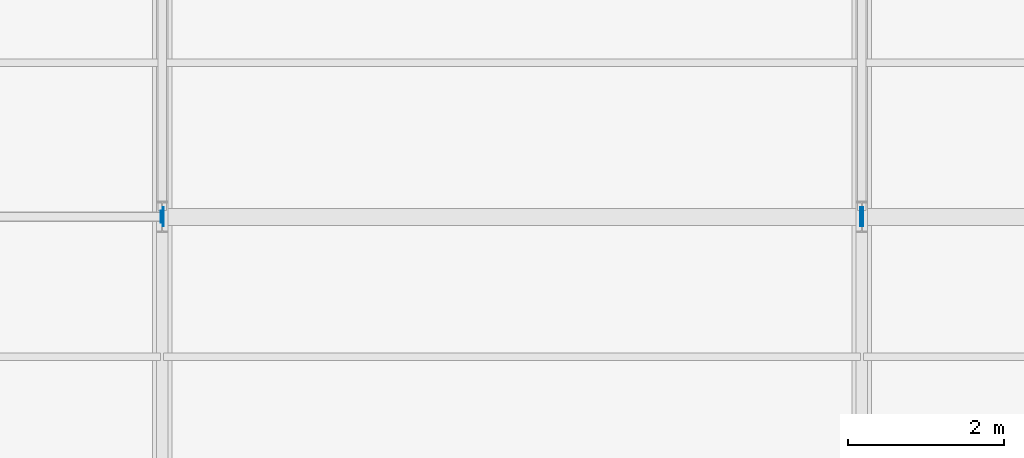
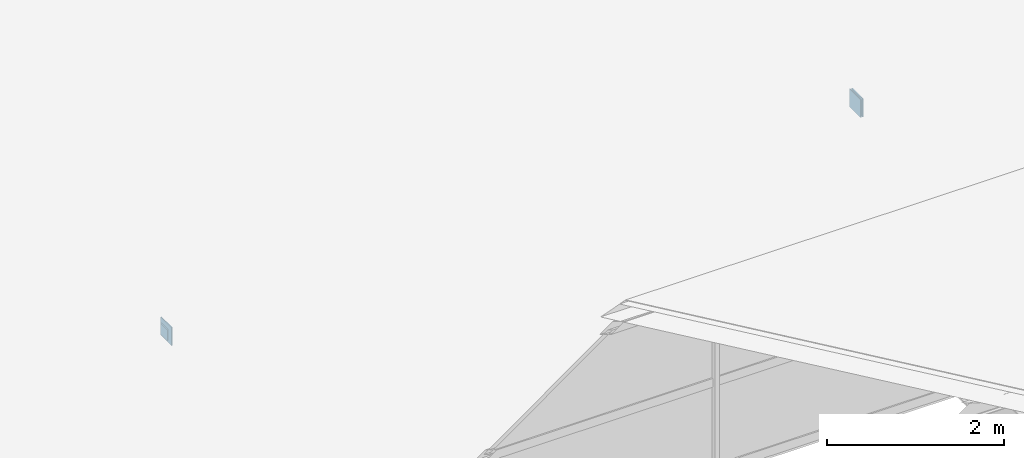
# One storey, part 130 of 163: 4 plates.
"""IFC4 building model written with IfcOpenShell, lengths in metres."""

import ifcopenshell
import ifcopenshell.guid

model = None  # the IFC model being written
_history = None  # IfcOwnerHistory: only IFC2X3 demands one
_inside = {}  # id of a spatial element -> (the spatial element, [elements in it])
_under = {}  # id of a project, library or spatial element -> (it, [spatial elements below it])
_declared = {}  # id of a project -> (the project, [libraries it declares])
_typed = {}  # id of a type object -> (the type object, [elements of that type])
_made_of = {}  # id of a material, layer set ... -> (it, [elements and type objects made of it])


def new_model(schema):
    """Start an empty IFC model of exactly this schema.

    Asked for "IFC4X3", IfcOpenShell would pick the latest addendum, in which some entities
    have other attributes; the version numbers below select the first issue.
    IFC2X3 requires an IfcOwnerHistory on every rooted entity: one is made here for all.
    """
    global model, _history
    if schema == "IFC4X3":
        model = ifcopenshell.file(schema_version=(4, 3, 0, 0))
    else:
        model = ifcopenshell.file(schema=schema)
    _inside.clear()
    _under.clear()
    _declared.clear()
    _typed.clear()
    _made_of.clear()
    _history = None
    if model.schema == "IFC2X3":
        org = make("IfcOrganization", Name="unknown")
        user = make(
            "IfcPersonAndOrganization",
            ThePerson=make("IfcPerson", FamilyName="unknown"),
            TheOrganization=org,
        )
        app = make(
            "IfcApplication",
            ApplicationDeveloper=org,
            Version="unknown",
            ApplicationFullName="unknown",
            ApplicationIdentifier="unknown",
        )
        _history = make(
            "IfcOwnerHistory",
            OwningUser=user,
            OwningApplication=app,
            ChangeAction="ADDED",
            CreationDate=0,
        )
    return model


def make(cls, **values):
    """One entity of the class cls with the attributes given. An attribute that is None is left unset."""
    return model.create_entity(
        cls, **{name: value for name, value in values.items() if value is not None}
    )


def rooted(cls, **values):
    """An entity with a GlobalId (a new one), such as an element, a storey or a relation."""
    return make(cls, GlobalId=ifcopenshell.guid.new(), OwnerHistory=_history, **values)


def si_unit(unit_type, name, prefix=None):
    """IfcSIUnit, for example si_unit("LENGTHUNIT", "METRE", prefix="MILLI")."""
    return make("IfcSIUnit", UnitType=unit_type, Prefix=prefix, Name=name)


def assignment(units):
    """IfcUnitAssignment: the units of a project."""
    return None if units is None else make("IfcUnitAssignment", Units=units)


def point(xyz):
    """IfcCartesianPoint."""
    return None if xyz is None else make("IfcCartesianPoint", Coordinates=xyz)


def direction(xyz):
    """IfcDirection."""
    return None if xyz is None else make("IfcDirection", DirectionRatios=xyz)


def frame(location, z_axis=None, x_axis=None):
    """IfcAxis2Placement3D, a coordinate frame: its origin and axes. An axis left out is left unset."""
    return make(
        "IfcAxis2Placement3D",
        Location=point(location),
        Axis=direction(z_axis),
        RefDirection=direction(x_axis),
    )


def frame_2d(location, x_axis=None):
    """IfcAxis2Placement2D, a coordinate frame in the plane: its origin and x axis."""
    return make(
        "IfcAxis2Placement2D", Location=point(location), RefDirection=direction(x_axis)
    )


def origin():
    """The frame at (0, 0, 0) with its axes left unset."""
    return frame((0.0, 0.0, 0.0))


def origin_2d():
    """The frame at (0, 0) in the plane with its x axis left unset."""
    return frame_2d((0.0, 0.0))


def place(relative_to, where):
    """IfcLocalPlacement: puts the frame where relative to a parent placement (None: the world)."""
    return make(
        "IfcLocalPlacement", PlacementRelTo=relative_to, RelativePlacement=where
    )


def context(
    kind, dimensions, precision=None, world=None, true_north=None, identifier=None
):
    """IfcGeometricRepresentationContext, for example the 3D "Model" context."""
    return make(
        "IfcGeometricRepresentationContext",
        ContextIdentifier=identifier,
        ContextType=kind,
        CoordinateSpaceDimension=dimensions,
        Precision=precision,
        WorldCoordinateSystem=world,
        TrueNorth=true_north,
    )


def subcontext(parent, identifier, kind, view, scale=None):
    """IfcGeometricRepresentationSubContext, for example "Body" below "Model"."""
    return make(
        "IfcGeometricRepresentationSubContext",
        ContextIdentifier=identifier,
        ContextType=kind,
        ParentContext=parent,
        TargetScale=scale,
        TargetView=view,
    )


def project(units=None, contexts=None):
    """IfcProject with its units and contexts."""
    return rooted(
        "IfcProject",
        Name="project",
        RepresentationContexts=contexts,
        UnitsInContext=assignment(units),
    )


def spatial(cls, under=None, at=None, **own):
    """A site, building, storey or space (cls), placed at a placement, below another one or the project."""
    s = rooted(cls, ObjectPlacement=at, **own)
    if under is not None:
        _under.setdefault(under.id(), (under, []))[1].append(s)
    return s


def profile(cls, at=None, kind="AREA", **sizes):
    """A parametric profile (cls). Its sizes go by their IFC names, for example OverallWidth=200.0."""
    return make(cls, ProfileType=kind, Position=at, **sizes)


def rectangle(**sizes):
    """IfcRectangleProfileDef."""
    return profile("IfcRectangleProfileDef", **sizes)


def extrude(swept, where, along, depth):
    """IfcExtrudedAreaSolid: the profile swept, set in the frame where, extruded along a direction by depth."""
    return make(
        "IfcExtrudedAreaSolid",
        SweptArea=swept,
        Position=where,
        ExtrudedDirection=direction(along),
        Depth=depth,
    )


def shape(context_of_items, identifier, shape_type, items):
    """IfcShapeRepresentation: the items that make up one representation, for example the "Body"."""
    return make(
        "IfcShapeRepresentation",
        ContextOfItems=context_of_items,
        RepresentationIdentifier=identifier,
        RepresentationType=shape_type,
        Items=items,
    )


def material(Name=None, Category=None):
    """IfcMaterial."""
    return make("IfcMaterial", Name=Name, Category=Category)


def layer(
    of_material, thickness, ventilated=None, Name=None, Category=None, Priority=None
):
    """IfcMaterialLayer: one layer of a wall or slab, of a material (None: an air gap)."""
    return make(
        "IfcMaterialLayer",
        Material=of_material,
        LayerThickness=thickness,
        IsVentilated=ventilated,
        Name=Name,
        Category=Category,
        Priority=Priority,
    )


def layer_set(layers, Name=None):
    """IfcMaterialLayerSet."""
    return make("IfcMaterialLayerSet", MaterialLayers=layers, LayerSetName=Name)


def made_of(thing, what):
    """Note that an element or type object is made of a material, layer set ...; save() writes the relation."""
    if what is not None:
        _made_of.setdefault(what.id(), (what, []))[1].append(thing)
    return thing


def type_object(cls, material=None, **own):
    """A type object (cls), such as IfcWallType, which elements share."""
    return made_of(rooted(cls, **own), material)


def element(
    cls,
    number,
    at=None,
    inside=None,
    cuts=None,
    type_object=None,
    material=None,
    context=None,
    identifier="Body",
    shape_type=None,
    held_by="IfcProductDefinitionShape",
    body=None,
    shapes=None,
    **own,
):
    """One element of the class cls, such as IfcWall. Its Tag is "e" and its number.

    at: its placement. inside: the storey or other place that contains it. cuts: it is an
    opening in that element (IfcRelVoidsElement). A single representation is given by context,
    identifier, shape_type and body (its items); several are given by shapes. held_by: the class
    of the entity that holds the representations. save() writes the other relations.
    """
    e = rooted(cls, Tag="e%d" % number, ObjectPlacement=at, **own)
    if body is not None:
        shapes = [shape(context, identifier, shape_type, body)]
    if shapes is not None:
        e.Representation = make(held_by, Representations=shapes)
    if inside is not None:
        _inside.setdefault(inside.id(), (inside, []))[1].append(e)
    if cuts is not None:
        rooted(
            "IfcRelVoidsElement", RelatingBuildingElement=cuts, RelatedOpeningElement=e
        )
    if type_object is not None:
        _typed.setdefault(type_object.id(), (type_object, []))[1].append(e)
    return made_of(e, material)


def aggregate(whole, parts):
    """IfcRelAggregates: a whole, such as a stair, and the parts it consists of."""
    return rooted("IfcRelAggregates", RelatingObject=whole, RelatedObjects=parts)


def save(model, path):
    """Write the relations noted so far, then the file.

    IfcRelAggregates (storeys below a building ...), IfcRelContainedInSpatialStructure (elements
    in a storey), IfcRelDefinesByType, IfcRelAssociatesMaterial and IfcRelDeclares: one each for
    every whole, place, type object, material and project.
    """
    for whole, parts in _under.values():
        aggregate(whole, parts)
    for where, things in _inside.values():
        rooted(
            "IfcRelContainedInSpatialStructure",
            RelatedElements=things,
            RelatingStructure=where,
        )
    for kind, things in _typed.values():
        rooted("IfcRelDefinesByType", RelatedObjects=things, RelatingType=kind)
    for what, things in _made_of.values():
        rooted("IfcRelAssociatesMaterial", RelatedObjects=things, RelatingMaterial=what)
    for by, libraries in _declared.values():
        rooted("IfcRelDeclares", RelatingContext=by, RelatedDefinitions=libraries)
    model.write(path)


model = new_model("IFC4")

# Units and contexts
model_context = context("Model", 3, precision=1e-05, world=origin(), true_north=direction((0.0, 1.0)))
body_context = subcontext(model_context, "Body", "Model", "MODEL_VIEW")
ifc_project = project(units=[si_unit("LENGTHUNIT", "METRE"), si_unit("AREAUNIT", "SQUARE_METRE"), si_unit("VOLUMEUNIT", "CUBIC_METRE"), si_unit("PLANEANGLEUNIT", "RADIAN"), si_unit("MASSUNIT", "GRAM", prefix="KILO")], contexts=[model_context])

# Site, building, storey
site_placement = place(None, origin())
site = spatial("IfcSite", under=ifc_project, at=site_placement, CompositionType="ELEMENT")
building_placement = place(site_placement, origin())
building = spatial("IfcBuilding", under=site, at=building_placement, Name="Tharagai Park Tramway Depot", CompositionType="ELEMENT")
storey_placement = place(building_placement, frame((0.0, 0.0, 8.39990234375)))
storey = spatial("IfcBuildingStorey", under=building, at=storey_placement, Name="L02", CompositionType="ELEMENT", Elevation=8.39990234375)

# Plates
ifc_material = material(Name="Steel E350", Category="steel")
ifc_layer = layer(ifc_material, 0.011962890625)
ifc_layer_set = layer_set([ifc_layer], Name="Steel E350")
plate_type = type_object("IfcPlateType", Name="GP-04", PredefinedType="SHEET", material=ifc_layer_set)
plate_placement = place(storey_placement, frame((35.986083984375, 112.5, 1.87158203125), z_axis=(0.0, 0.0, 1.0), x_axis=(1.0, 0.0, 0.0)))
element("IfcPlate", 1, at=plate_placement, inside=storey, type_object=plate_type, Name="Tube End Cap Plate GP-04", PredefinedType="SHEET", context=body_context, shape_type="SweptSolid", body=[
    extrude(rectangle(XDim=0.011962890625, YDim=0.14990234375, at=origin_2d()), origin(), (0.0, 0.0, 1.0), 0.14990234375),
])
for number, where, z_axis, x_axis, name in (
    (2, (36.013916015625, 112.5, 1.822021484375), (0.0, 0.0, 1.0), (1.0, 0.0, 0.0), "Tube End Cap Plate GP-04"),
    (3, (44.986083984375, 112.5, 1.822021484375), (0.0, 0.0, 1.0), (1.0, 0.0, 0.0), "Tube End Cap Plate GP-04"),
    (4, (45.013916015625, 112.5, 1.822021484375), (0.0, 0.0, 1.0), (1.0, 0.0, 0.0), "Tube End Cap Plate GP-04"),
):
    element("IfcPlate", number, at=place(storey_placement, frame(where, z_axis=z_axis, x_axis=x_axis)), inside=storey, type_object=plate_type, Name=name, PredefinedType="SHEET", context=body_context, shape_type="SweptSolid", body=[
        extrude(rectangle(XDim=0.011962890625, YDim=0.2490234375, at=origin_2d()), origin(), (0.0, 0.0, 1.0), 0.2490234375),
    ])

save(model, "model.ifc")
